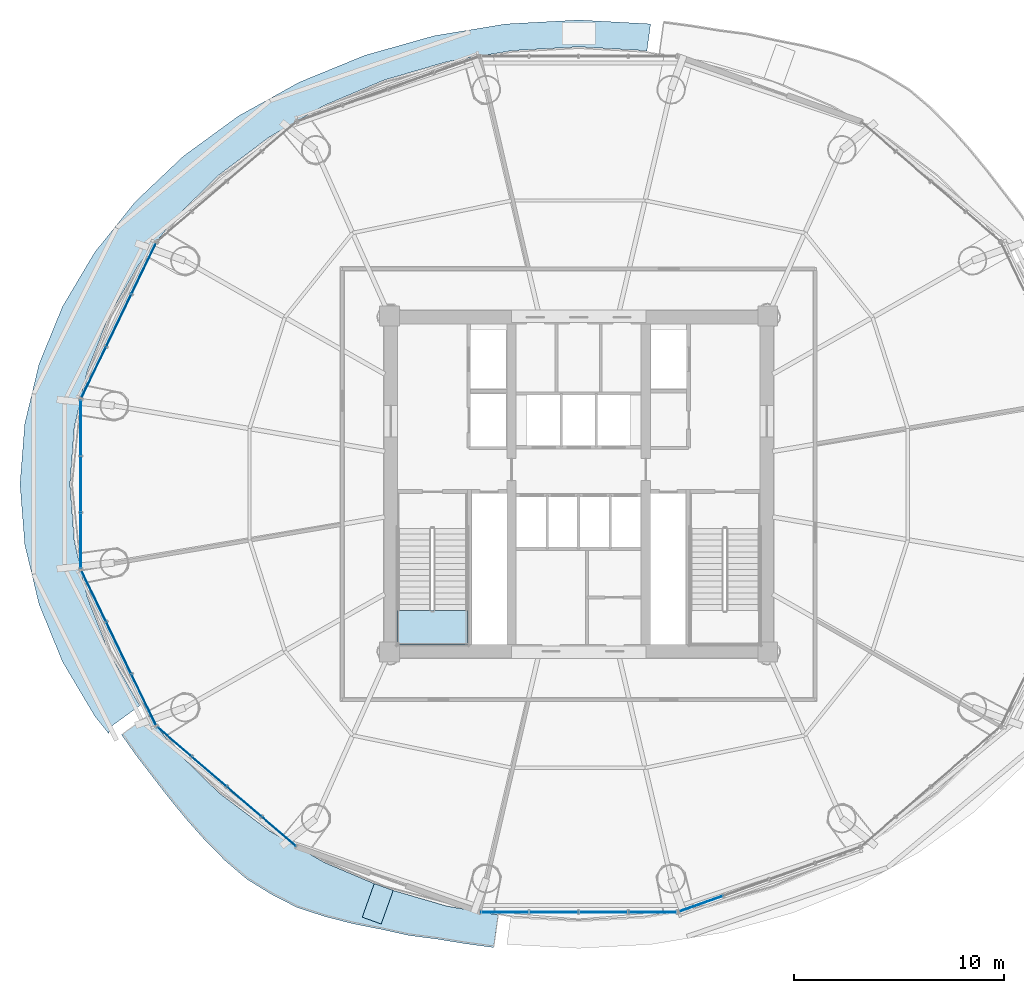
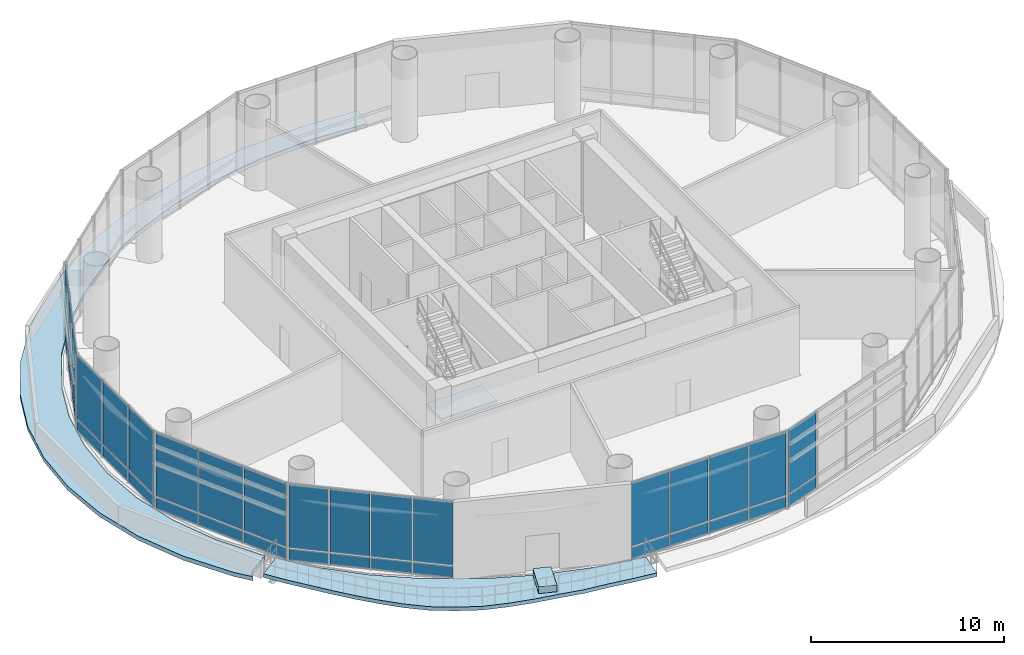
# One storey, part 19 of 29: 36 plates, 4 slabs, 7 elements without a shape of their own.
"""IFC4 building model written with IfcOpenShell, lengths in metres."""

from ifc_helpers import new_model, si_unit, direction, frame, origin, origin_2d, place, context, subcontext, project, spatial, polyline, rectangle, outline, extrude, source, transform, mapped, material, layer, layer_set, type_object, element, aggregate, save


model = new_model("IFC4")

# Units and contexts
model_context = context("Model", 3, precision=1e-05, world=origin(), true_north=direction((-0.2419218956, 0.970295726276)))
body_context = subcontext(model_context, "Body", "Model", "MODEL_VIEW")
ifc_project = project(units=[si_unit("LENGTHUNIT", "METRE"), si_unit("AREAUNIT", "SQUARE_METRE"), si_unit("VOLUMEUNIT", "CUBIC_METRE"), si_unit("PLANEANGLEUNIT", "RADIAN"), si_unit("MASSUNIT", "GRAM", prefix="KILO")], contexts=[model_context])

# Site, building, storey
site_placement = place(None, origin())
site = spatial("IfcSite", under=ifc_project, at=site_placement, CompositionType="ELEMENT")
building_placement = place(site_placement, origin())
building = spatial("IfcBuilding", under=site, at=building_placement, Name="Cobrevalo Terracotta Tower", CompositionType="ELEMENT")
storey_placement = place(building_placement, frame((0.0, 0.0, 130.199951171875)))
storey = spatial("IfcBuildingStorey", under=building, at=storey_placement, Name="L34", CompositionType="ELEMENT", Elevation=130.199951171875)

# Stair, slab
ifc_material_1 = material(Name="Concrete C50", Category="concrete")
stair_type = type_object("IfcStairType", Name="Core protected escape dogleg stair 1600", PredefinedType="HALF_TURN_STAIR", material=ifc_material_1)
stair_placement = place(storey_placement, origin())
stair = element("IfcStair", 1, at=stair_placement, inside=storey, type_object=stair_type, Name="L34 Protected exit stair ST-1", PredefinedType="HALF_TURN_STAIR")
ifc_layer_1 = layer(ifc_material_1, 0.199951171875)
ifc_layer_set_1 = layer_set([ifc_layer_1], Name="Concrete C50")
slab_type_1 = type_object("IfcSlabType", Name="Reinforced Concrete Stair Landing 200", PredefinedType="LANDING", material=ifc_layer_set_1)
slab_1_placement = place(storey_placement, frame((0.0, 0.0, 2.400146484375)))
slab_1 = element("IfcSlab", 2, at=slab_1_placement, type_object=slab_type_1, Name="ST-1 landing 1", PredefinedType="LANDING", context=body_context, shape_type="SweptSolid", body=[
    extrude(outline(polyline([(29.375, 20.780029296875), (29.375, 19.175048828125), (32.695068359375, 19.175048828125), (32.695068359375, 20.780029296875), (29.375, 20.780029296875)])), origin(), (0.0, 0.0, 1.0), 0.199951171875),
])
aggregate(stair, [slab_1])

# Slabs
ifc_material_2 = material(Name="Concrete C45", Category="concrete")
ifc_layer_2 = layer(ifc_material_2, 0.235107421875)
ifc_layer_set_2 = layer_set([ifc_layer_2], Name="Concrete C45")
slab_type_2 = type_object("IfcSlabType", Name="Sky-terrace & stepped lobe balcony slab 235 mm", PredefinedType="FLOOR", material=ifc_layer_set_2)
slab_2_placement = place(storey_placement, frame((0.0, 0.0, -0.23486328125)))
element("IfcSlab", 3, at=slab_2_placement, inside=storey, type_object=slab_type_2, Name="L34 spiralling arc balcony slab lobe 2", PredefinedType="FLOOR", context=body_context, shape_type="SweptSolid", body=[
    extrude(outline(polyline([(16.228515625, 14.87744140625), (16.955810546875, 13.8505859375), (17.7275390625, 12.850830078125), (18.5166015625, 11.825927734375), (19.3447265625, 10.818115234375), (20.228271484375, 9.822998046875), (21.176513671875, 8.865478515625), (22.20654296875, 7.98876953125), (23.368408203125, 7.273193359375), (24.580078125, 6.65087890625), (25.893310546875, 6.220947265625), (27.229736328125, 5.87744140625), (28.577392578125, 5.609619140625), (29.911376953125, 5.314208984375), (31.26416015625, 5.139404296875), (32.60498046875, 4.9208984375), (33.949951171875, 4.738525390625), (34.16455078125, 6.29150390625), (31.736083984375, 6.706787109375), (28.73828125, 7.58154296875), (25.89892578125, 8.784912109375), (23.266845703125, 10.296630859375), (20.88671875, 12.0908203125), (18.79931640625, 14.136474609375), (17.50341796875, 15.803466796875), (16.228515625, 14.87744140625)])), origin(), (0.0, 0.0, 1.0), 0.23486328125),
])
ifc_material_3 = material(Name="Precast concrete C45", Category="concrete")
ifc_layer_3 = layer(ifc_material_3, 0.419921875)
ifc_layer_set_3 = layer_set([ifc_layer_3], Name="Precast concrete C45")
slab_type_3 = type_object("IfcSlabType", Name="Structural tree planter trough base 420 mm", PredefinedType="USERDEFINED", material=ifc_layer_set_3)
slab_3_placement = place(storey_placement, origin())
element("IfcSlab", 4, at=slab_3_placement, inside=storey, type_object=slab_type_3, Name="L34 structural tree planter trough 2", ObjectType="PLANTER", PredefinedType="USERDEFINED", context=body_context, shape_type="SweptSolid", body=[
    extrude(outline(polyline([(28.266357421875, 7.7841796875), (27.694091796875, 6.183349609375), (28.59814453125, 5.860107421875), (29.170166015625, 7.4609375), (28.266357421875, 7.7841796875)])), origin(), (0.0, 0.0, 1.0), 0.420166015625),
])
ifc_layer_4 = layer(ifc_material_2, 0.260009765625)
ifc_layer_set_4 = layer_set([ifc_layer_4], Name="Concrete C45")
slab_type_4 = type_object("IfcSlabType", Name="Zone setback structural roof slab 260 mm", PredefinedType="ROOF", material=ifc_layer_set_4)
slab_4_placement = place(storey_placement, frame((0.0, 0.0, -0.260009765625)))
element("IfcSlab", 5, at=slab_4_placement, inside=storey, type_object=slab_type_4, Name="L34 zone setback roof collar slab 2", PredefinedType="ROOF", context=body_context, shape_type="SweptSolid", body=[
    extrude(outline(polyline([(14.963623046875, 15.75), (13.4248046875, 18.3427734375), (12.306396484375, 21.080078125), (11.627685546875, 23.915283203125), (11.39990234375, 26.800048828125), (11.627685546875, 29.6845703125), (12.306396484375, 32.52001953125), (13.4248046875, 35.25732421875), (14.963623046875, 37.85009765625), (16.896728515625, 40.253662109375), (19.19091796875, 42.427001953125), (21.806884765625, 44.3330078125), (24.699951171875, 45.939208984375), (27.820556640625, 47.2177734375), (31.115478515625, 48.14697265625), (34.528076171875, 48.7109375), (38.0, 48.89990234375), (41.423828125, 48.713623046875), (41.24609375, 47.427490234375), (41.161376953125, 47.44189453125), (38.0, 47.6201171875), (34.838623046875, 47.44189453125), (31.7314453125, 46.91064453125), (28.7314453125, 46.03515625), (25.889892578125, 44.83056640625), (23.255859375, 43.317626953125), (20.873779296875, 41.52197265625), (18.784912109375, 39.474365234375), (17.02490234375, 37.2099609375), (15.62353515625, 34.767578125), (14.605224609375, 32.188720703125), (13.9873046875, 29.517578125), (13.780029296875, 26.800048828125), (13.9873046875, 24.08251953125), (14.605224609375, 21.411376953125), (15.62353515625, 18.83251953125), (17.02490234375, 16.389892578125), (17.12060546875, 16.266845703125), (15.875732421875, 15.363037109375), (15.830322265625, 15.326416015625), (15.78857421875, 15.285400390625), (15.7509765625, 15.24072265625), (15.7177734375, 15.192626953125), (15.689697265625, 15.141357421875), (15.66650390625, 15.087646484375), (15.648681640625, 15.031982421875), (15.636474609375, 14.974853515625), (15.630126953125, 14.921142578125), (14.963623046875, 15.75)])), origin(), (0.0, 0.0, 1.0), 0.260009765625),
])

# Curtain wall, plates
ifc_material_4 = material(Name="Anodized aluminium", Category="aluminium")
curtain_wall_type = type_object("IfcCurtainWallType", Name="Double-height sky-lobby panoramic curtain wall CW-SK", PredefinedType="NOTDEFINED", material=ifc_material_4)
curtain_wall_1_placement = place(storey_placement, origin())
curtain_wall_1 = element("IfcCurtainWall", 6, at=curtain_wall_1_placement, inside=storey, type_object=curtain_wall_type, Name="L34 curtain wall CW-SK-L34-S07", PredefinedType="NOTDEFINED")
ifc_material_5 = material(Name="Terracotta-faced insulated spandrel", Category="masonry")
ifc_layer_5 = layer(ifc_material_5, 0.044921875)
ifc_layer_set_5 = layer_set([ifc_layer_5], Name="Terracotta-faced insulated spandrel")
plate_type_1 = type_object("IfcPlateType", Name="Insulated terracotta-faced spandrel cassette 45 mm", PredefinedType="CURTAIN_PANEL", material=ifc_layer_set_5)
shared_shape_1 = source(origin(), body_context, "Body", "SweptSolid", [
    extrude(rectangle(XDim=2.650390625, YDim=0.044921875, at=origin_2d()), origin(), (0.0, 0.0, 1.0), 0.739990234375),
])
plate_1_placement = place(storey_placement, frame((17.293212890625, 37.0732421875, 0.0400390625), z_axis=(0.0, 0.0, 1.0), x_axis=(-0.434209440271, -0.900811945957, 0.0)))
plate_1 = element("IfcPlate", 7, at=plate_1_placement, type_object=plate_type_1, Name="CW-SK-L34-S07 terracotta spandrel panel B01", PredefinedType="CURTAIN_PANEL", context=body_context, shape_type="MappedRepresentation", body=[
    mapped(shared_shape_1, transform((0.0, 0.0, 0.0), scale=1.0)),
])
plate_2_placement = place(storey_placement, frame((14.904541015625, 32.117919921875, 0.0400390625), z_axis=(0.0, 0.0, 1.0), x_axis=(-0.434209440271, -0.900811945957, 0.0)))
plate_2 = element("IfcPlate", 8, at=plate_2_placement, type_object=plate_type_1, Name="CW-SK-L34-S07 terracotta spandrel panel B03", PredefinedType="CURTAIN_PANEL", context=body_context, shape_type="MappedRepresentation", body=[
    mapped(shared_shape_1, transform((0.0, 0.0, 0.0), scale=1.0)),
])

curtain_wall_2_placement = place(storey_placement, origin())
curtain_wall_2 = element("IfcCurtainWall", 9, at=curtain_wall_2_placement, inside=storey, type_object=curtain_wall_type, Name="L34 curtain wall CW-SK-L34-S09", PredefinedType="NOTDEFINED")
plate_3_placement = place(storey_placement, frame((14.904541015625, 21.482177734375, 0.0400390625), z_axis=(0.0, 0.0, 1.0), x_axis=(0.434209440271, -0.900811945957, 0.0)))
plate_3 = element("IfcPlate", 10, at=plate_3_placement, type_object=plate_type_1, Name="CW-SK-L34-S09 terracotta spandrel panel B01", PredefinedType="CURTAIN_PANEL", context=body_context, shape_type="MappedRepresentation", body=[
    mapped(shared_shape_1, transform((0.0, 0.0, 0.0), scale=1.0)),
])
plate_4_placement = place(storey_placement, frame((17.293212890625, 16.526611328125, 0.0400390625), z_axis=(0.0, 0.0, 1.0), x_axis=(0.434209440271, -0.900811945957, 0.0)))
plate_4 = element("IfcPlate", 11, at=plate_4_placement, type_object=plate_type_1, Name="CW-SK-L34-S09 terracotta spandrel panel B03", PredefinedType="CURTAIN_PANEL", context=body_context, shape_type="MappedRepresentation", body=[
    mapped(shared_shape_1, transform((0.0, 0.0, 0.0), scale=1.0)),
])

# Plate
ifc_material_6 = material(Name="Laminated low-E double glazing", Category="glass")
ifc_layer_6 = layer(ifc_material_6, 0.031982421875)
ifc_layer_set_6 = layer_set([ifc_layer_6], Name="Laminated low-E double glazing")
plate_type_2 = type_object("IfcPlateType", Name="Podium clear acoustic laminated glazing panel 32 mm", PredefinedType="CURTAIN_PANEL", material=ifc_layer_set_6)
shared_shape_2 = source(origin(), body_context, "Body", "SweptSolid", [
    extrude(rectangle(XDim=2.650390625, YDim=0.035888671875, at=origin_2d()), origin(), (0.0, 0.0, 1.0), 4.030029296875),
])
plate_5_placement = place(storey_placement, frame((17.293212890625, 37.0732421875, 0.85986328125), z_axis=(0.0, 0.0, 1.0), x_axis=(-0.434209440271, -0.900811945957, 0.0)))
plate_5 = element("IfcPlate", 12, at=plate_5_placement, type_object=plate_type_2, Name="CW-SK-L34-S07 glazing panel B01", PredefinedType="CURTAIN_PANEL", context=body_context, shape_type="MappedRepresentation", body=[
    mapped(shared_shape_2, transform((0.0, 0.0, 0.0), scale=1.0)),
])

plate_6_placement = place(storey_placement, frame((14.904541015625, 32.117919921875, 0.85986328125), z_axis=(0.0, 0.0, 1.0), x_axis=(-0.434209440271, -0.900811945957, 0.0)))
plate_6 = element("IfcPlate", 13, at=plate_6_placement, type_object=plate_type_2, Name="CW-SK-L34-S07 glazing panel B03", PredefinedType="CURTAIN_PANEL", context=body_context, shape_type="MappedRepresentation", body=[
    mapped(shared_shape_2, transform((0.0, 0.0, 0.0), scale=1.0)),
])

plate_7_placement = place(storey_placement, frame((14.904541015625, 21.482177734375, 0.85986328125), z_axis=(0.0, 0.0, 1.0), x_axis=(0.434209440271, -0.900811945957, 0.0)))
plate_7 = element("IfcPlate", 14, at=plate_7_placement, type_object=plate_type_2, Name="CW-SK-L34-S09 glazing panel B01", PredefinedType="CURTAIN_PANEL", context=body_context, shape_type="MappedRepresentation", body=[
    mapped(shared_shape_2, transform((0.0, 0.0, 0.0), scale=1.0)),
])

plate_8_placement = place(storey_placement, frame((17.293212890625, 16.526611328125, 0.85986328125), z_axis=(0.0, 0.0, 1.0), x_axis=(0.434209440271, -0.900811945957, 0.0)))
plate_8 = element("IfcPlate", 15, at=plate_8_placement, type_object=plate_type_2, Name="CW-SK-L34-S09 glazing panel B03", PredefinedType="CURTAIN_PANEL", context=body_context, shape_type="MappedRepresentation", body=[
    mapped(shared_shape_2, transform((0.0, 0.0, 0.0), scale=1.0)),
])

shared_shape_3 = source(origin(), body_context, "Body", "SweptSolid", [
    extrude(rectangle(XDim=2.6904296875, YDim=0.044921875, at=origin_2d()), origin(), (0.0, 0.0, 1.0), 0.739990234375),
])
plate_9_placement = place(storey_placement, frame((16.098876953125, 34.595703125, 0.0400390625), z_axis=(0.0, 0.0, 1.0), x_axis=(-0.434209440271, -0.900811945957, 0.0)))
plate_9 = element("IfcPlate", 16, at=plate_9_placement, type_object=plate_type_1, Name="CW-SK-L34-S07 terracotta spandrel panel B02", PredefinedType="CURTAIN_PANEL", context=body_context, shape_type="MappedRepresentation", body=[
    mapped(shared_shape_3, transform((0.0, 0.0, 0.0), scale=1.0)),
])

plate_10_placement = place(storey_placement, frame((16.098876953125, 19.00439453125, 0.0400390625), z_axis=(0.0, 0.0, 1.0), x_axis=(0.434209440271, -0.900811945957, 0.0)))
plate_10 = element("IfcPlate", 17, at=plate_10_placement, type_object=plate_type_1, Name="CW-SK-L34-S09 terracotta spandrel panel B02", PredefinedType="CURTAIN_PANEL", context=body_context, shape_type="MappedRepresentation", body=[
    mapped(shared_shape_3, transform((0.0, 0.0, 0.0), scale=1.0)),
])

shared_shape_4 = source(origin(), body_context, "Body", "SweptSolid", [
    extrude(rectangle(XDim=2.6904296875, YDim=0.035888671875, at=origin_2d()), origin(), (0.0, 0.0, 1.0), 4.030029296875),
])
plate_11_placement = place(storey_placement, frame((16.098876953125, 34.595703125, 0.85986328125), z_axis=(0.0, 0.0, 1.0), x_axis=(-0.434209440271, -0.900811945957, 0.0)))
plate_11 = element("IfcPlate", 18, at=plate_11_placement, type_object=plate_type_2, Name="CW-SK-L34-S07 glazing panel B02", PredefinedType="CURTAIN_PANEL", context=body_context, shape_type="MappedRepresentation", body=[
    mapped(shared_shape_4, transform((0.0, 0.0, 0.0), scale=1.0)),
])

aggregate(curtain_wall_1, [plate_1, plate_5, plate_9, plate_11, plate_2, plate_6])

plate_12_placement = place(storey_placement, frame((16.098876953125, 19.00439453125, 0.85986328125), z_axis=(0.0, 0.0, 1.0), x_axis=(0.434209440271, -0.900811945957, 0.0)))
plate_12 = element("IfcPlate", 19, at=plate_12_placement, type_object=plate_type_2, Name="CW-SK-L34-S09 glazing panel B02", PredefinedType="CURTAIN_PANEL", context=body_context, shape_type="MappedRepresentation", body=[
    mapped(shared_shape_4, transform((0.0, 0.0, 0.0), scale=1.0)),
])

aggregate(curtain_wall_2, [plate_3, plate_7, plate_10, plate_12, plate_4, plate_8])

# Curtain wall, plates
curtain_wall_3_placement = place(storey_placement, origin())
curtain_wall_3 = element("IfcCurtainWall", 20, at=curtain_wall_3_placement, inside=storey, type_object=curtain_wall_type, Name="L34 curtain wall CW-SK-L34-S10", PredefinedType="NOTDEFINED")
shared_shape_5 = source(origin(), body_context, "Body", "SweptSolid", [
    extrude(rectangle(XDim=2.078125, YDim=0.044921875, at=origin_2d()), origin(), (0.0, 0.0, 1.0), 0.739990234375),
])
plate_13_placement = place(storey_placement, frame((18.752197265625, 14.531494140625, 0.0400390625), z_axis=(0.0, 0.0, 1.0), x_axis=(0.758436996112, -0.651746363955, 0.0)))
plate_13 = element("IfcPlate", 21, at=plate_13_placement, type_object=plate_type_1, Name="CW-SK-L34-S10 terracotta spandrel panel B01", PredefinedType="CURTAIN_PANEL", context=body_context, shape_type="MappedRepresentation", body=[
    mapped(shared_shape_5, transform((0.0, 0.0, 0.0), scale=1.0)),
])
plate_14_placement = place(storey_placement, frame((23.72314453125, 10.259765625, 0.0400390625), z_axis=(0.0, 0.0, 1.0), x_axis=(0.758436996112, -0.651746363955, 0.0)))
plate_14 = element("IfcPlate", 22, at=plate_14_placement, type_object=plate_type_1, Name="CW-SK-L34-S10 terracotta spandrel panel B04", PredefinedType="CURTAIN_PANEL", context=body_context, shape_type="MappedRepresentation", body=[
    mapped(shared_shape_5, transform((0.0, 0.0, 0.0), scale=1.0)),
])
shared_shape_6 = source(origin(), body_context, "Body", "SweptSolid", [
    extrude(rectangle(XDim=2.078125, YDim=0.035888671875, at=origin_2d()), origin(), (0.0, 0.0, 1.0), 4.030029296875),
])
plate_15_placement = place(storey_placement, frame((18.752197265625, 14.531494140625, 0.85986328125), z_axis=(0.0, 0.0, 1.0), x_axis=(0.758436996112, -0.651746363955, 0.0)))
plate_15 = element("IfcPlate", 23, at=plate_15_placement, type_object=plate_type_2, Name="CW-SK-L34-S10 glazing panel B01", PredefinedType="CURTAIN_PANEL", context=body_context, shape_type="MappedRepresentation", body=[
    mapped(shared_shape_6, transform((0.0, 0.0, 0.0), scale=1.0)),
])
plate_16_placement = place(storey_placement, frame((23.72314453125, 10.259765625, 0.85986328125), z_axis=(0.0, 0.0, 1.0), x_axis=(0.758436996112, -0.651746363955, 0.0)))
plate_16 = element("IfcPlate", 24, at=plate_16_placement, type_object=plate_type_2, Name="CW-SK-L34-S10 glazing panel B04", PredefinedType="CURTAIN_PANEL", context=body_context, shape_type="MappedRepresentation", body=[
    mapped(shared_shape_6, transform((0.0, 0.0, 0.0), scale=1.0)),
])
shared_shape_7 = source(origin(), body_context, "Body", "SweptSolid", [
    extrude(rectangle(XDim=2.1181640625, YDim=0.044921875, at=origin_2d()), origin(), (0.0, 0.0, 1.0), 0.739990234375),
])
plate_17_placement = place(storey_placement, frame((20.404052734375, 13.11181640625, 0.0400390625), z_axis=(0.0, 0.0, 1.0), x_axis=(0.758436996112, -0.651746363955, 0.0)))
plate_17 = element("IfcPlate", 25, at=plate_17_placement, type_object=plate_type_1, Name="CW-SK-L34-S10 terracotta spandrel panel B02", PredefinedType="CURTAIN_PANEL", context=body_context, shape_type="MappedRepresentation", body=[
    mapped(shared_shape_7, transform((0.0, 0.0, 0.0), scale=1.0)),
])
plate_18_placement = place(storey_placement, frame((22.0712890625, 11.67919921875, 0.0400390625), z_axis=(0.0, 0.0, 1.0), x_axis=(0.758436996112, -0.651746363955, 0.0)))
plate_18 = element("IfcPlate", 26, at=plate_18_placement, type_object=plate_type_1, Name="CW-SK-L34-S10 terracotta spandrel panel B03", PredefinedType="CURTAIN_PANEL", context=body_context, shape_type="MappedRepresentation", body=[
    mapped(shared_shape_7, transform((0.0, 0.0, 0.0), scale=1.0)),
])
shared_shape_8 = source(origin(), body_context, "Body", "SweptSolid", [
    extrude(rectangle(XDim=2.1181640625, YDim=0.035888671875, at=origin_2d()), origin(), (0.0, 0.0, 1.0), 4.030029296875),
])
plate_19_placement = place(storey_placement, frame((20.404052734375, 13.11181640625, 0.85986328125), z_axis=(0.0, 0.0, 1.0), x_axis=(0.758436996112, -0.651746363955, 0.0)))
plate_19 = element("IfcPlate", 27, at=plate_19_placement, type_object=plate_type_2, Name="CW-SK-L34-S10 glazing panel B02", PredefinedType="CURTAIN_PANEL", context=body_context, shape_type="MappedRepresentation", body=[
    mapped(shared_shape_8, transform((0.0, 0.0, 0.0), scale=1.0)),
])
plate_20_placement = place(storey_placement, frame((22.0712890625, 11.67919921875, 0.85986328125), z_axis=(0.0, 0.0, 1.0), x_axis=(0.758436996112, -0.651746363955, 0.0)))
plate_20 = element("IfcPlate", 28, at=plate_20_placement, type_object=plate_type_2, Name="CW-SK-L34-S10 glazing panel B03", PredefinedType="CURTAIN_PANEL", context=body_context, shape_type="MappedRepresentation", body=[
    mapped(shared_shape_8, transform((0.0, 0.0, 0.0), scale=1.0)),
])
aggregate(curtain_wall_3, [plate_13, plate_15, plate_17, plate_19, plate_18, plate_20, plate_14, plate_16])

curtain_wall_4_placement = place(storey_placement, origin())
curtain_wall_4 = element("IfcCurtainWall", 29, at=curtain_wall_4_placement, inside=storey, type_object=curtain_wall_type, Name="L34 curtain wall CW-SK-L34-S12", PredefinedType="NOTDEFINED")
shared_shape_9 = source(origin(), body_context, "Body", "SweptSolid", [
    extrude(rectangle(XDim=2.23779296875, YDim=0.044921875, at=origin_2d()), origin(), (0.0, 0.0, 1.0), 0.739990234375),
])
plate_21_placement = place(storey_placement, frame((34.4833984375, 6.42919921875, 0.0400390625), z_axis=(0.0, 0.0, 1.0), x_axis=(1.0, 0.0, 0.0)))
plate_21 = element("IfcPlate", 30, at=plate_21_placement, type_object=plate_type_1, Name="CW-SK-L34-S12 terracotta spandrel panel B01", PredefinedType="CURTAIN_PANEL", context=body_context, shape_type="MappedRepresentation", body=[
    mapped(shared_shape_9, transform((0.0, 0.0, 0.0), scale=1.0)),
])
plate_22_placement = place(storey_placement, frame((41.5166015625, 6.42919921875, 0.0400390625), z_axis=(0.0, 0.0, 1.0), x_axis=(1.0, 0.0, 0.0)))
plate_22 = element("IfcPlate", 31, at=plate_22_placement, type_object=plate_type_1, Name="CW-SK-L34-S12 terracotta spandrel panel B04", PredefinedType="CURTAIN_PANEL", context=body_context, shape_type="MappedRepresentation", body=[
    mapped(shared_shape_9, transform((0.0, 0.0, 0.0), scale=1.0)),
])
shared_shape_10 = source(origin(), body_context, "Body", "SweptSolid", [
    extrude(rectangle(XDim=2.23779296875, YDim=0.035888671875, at=origin_2d()), origin(), (0.0, 0.0, 1.0), 4.030029296875),
])
plate_23_placement = place(storey_placement, frame((34.4833984375, 6.42919921875, 0.85986328125), z_axis=(0.0, 0.0, 1.0), x_axis=(1.0, 0.0, 0.0)))
plate_23 = element("IfcPlate", 32, at=plate_23_placement, type_object=plate_type_2, Name="CW-SK-L34-S12 glazing panel B01", PredefinedType="CURTAIN_PANEL", context=body_context, shape_type="MappedRepresentation", body=[
    mapped(shared_shape_10, transform((0.0, 0.0, 0.0), scale=1.0)),
])
plate_24_placement = place(storey_placement, frame((41.5166015625, 6.42919921875, 0.85986328125), z_axis=(0.0, 0.0, 1.0), x_axis=(1.0, 0.0, 0.0)))
plate_24 = element("IfcPlate", 33, at=plate_24_placement, type_object=plate_type_2, Name="CW-SK-L34-S12 glazing panel B04", PredefinedType="CURTAIN_PANEL", context=body_context, shape_type="MappedRepresentation", body=[
    mapped(shared_shape_10, transform((0.0, 0.0, 0.0), scale=1.0)),
])
shared_shape_11 = source(origin(), body_context, "Body", "SweptSolid", [
    extrude(rectangle(XDim=2.277587890625, YDim=0.044921875, at=origin_2d()), origin(), (0.0, 0.0, 1.0), 0.739990234375),
])
plate_25_placement = place(storey_placement, frame((36.8212890625, 6.42919921875, 0.0400390625), z_axis=(0.0, 0.0, 1.0), x_axis=(1.0, 0.0, 0.0)))
plate_25 = element("IfcPlate", 34, at=plate_25_placement, type_object=plate_type_1, Name="CW-SK-L34-S12 terracotta spandrel panel B02", PredefinedType="CURTAIN_PANEL", context=body_context, shape_type="MappedRepresentation", body=[
    mapped(shared_shape_11, transform((0.0, 0.0, 0.0), scale=1.0)),
])
plate_26_placement = place(storey_placement, frame((39.1787109375, 6.42919921875, 0.0400390625), z_axis=(0.0, 0.0, 1.0), x_axis=(1.0, 0.0, 0.0)))
plate_26 = element("IfcPlate", 35, at=plate_26_placement, type_object=plate_type_1, Name="CW-SK-L34-S12 terracotta spandrel panel B03", PredefinedType="CURTAIN_PANEL", context=body_context, shape_type="MappedRepresentation", body=[
    mapped(shared_shape_11, transform((0.0, 0.0, 0.0), scale=1.0)),
])
shared_shape_12 = source(origin(), body_context, "Body", "SweptSolid", [
    extrude(rectangle(XDim=2.277587890625, YDim=0.035888671875, at=origin_2d()), origin(), (0.0, 0.0, 1.0), 4.030029296875),
])
plate_27_placement = place(storey_placement, frame((36.8212890625, 6.42919921875, 0.85986328125), z_axis=(0.0, 0.0, 1.0), x_axis=(1.0, 0.0, 0.0)))
plate_27 = element("IfcPlate", 36, at=plate_27_placement, type_object=plate_type_2, Name="CW-SK-L34-S12 glazing panel B02", PredefinedType="CURTAIN_PANEL", context=body_context, shape_type="MappedRepresentation", body=[
    mapped(shared_shape_12, transform((0.0, 0.0, 0.0), scale=1.0)),
])
plate_28_placement = place(storey_placement, frame((39.1787109375, 6.42919921875, 0.85986328125), z_axis=(0.0, 0.0, 1.0), x_axis=(1.0, 0.0, 0.0)))
plate_28 = element("IfcPlate", 37, at=plate_28_placement, type_object=plate_type_2, Name="CW-SK-L34-S12 glazing panel B03", PredefinedType="CURTAIN_PANEL", context=body_context, shape_type="MappedRepresentation", body=[
    mapped(shared_shape_12, transform((0.0, 0.0, 0.0), scale=1.0)),
])
aggregate(curtain_wall_4, [plate_21, plate_23, plate_25, plate_27, plate_26, plate_28, plate_22, plate_24])

curtain_wall_5_placement = place(storey_placement, origin())
curtain_wall_5 = element("IfcCurtainWall", 38, at=curtain_wall_5_placement, inside=storey, type_object=curtain_wall_type, Name="L34 curtain wall CW-SK-L34-S13", PredefinedType="NOTDEFINED")
shared_shape_13 = source(origin(), body_context, "Body", "SweptSolid", [
    extrude(rectangle(XDim=2.192138671875, YDim=0.044921875, at=origin_2d()), origin(), (0.0, 0.0, 1.0), 0.739990234375),
])
plate_29_placement = place(storey_placement, frame((43.8232421875, 6.823486328125, 0.0400390625), z_axis=(0.0, 0.0, 1.0), x_axis=(0.942098428897, 0.335336473217, 0.0)))
plate_29 = element("IfcPlate", 39, at=plate_29_placement, type_object=plate_type_1, Name="CW-SK-L34-S13 terracotta spandrel panel B01", PredefinedType="CURTAIN_PANEL", context=body_context, shape_type="MappedRepresentation", body=[
    mapped(shared_shape_13, transform((0.0, 0.0, 0.0), scale=1.0)),
])
shared_shape_14 = source(origin(), body_context, "Body", "SweptSolid", [
    extrude(rectangle(XDim=2.192138671875, YDim=0.035888671875, at=origin_2d()), origin(), (0.0, 0.0, 1.0), 4.030029296875),
])
plate_30_placement = place(storey_placement, frame((43.8232421875, 6.823486328125, 0.85986328125), z_axis=(0.0, 0.0, 1.0), x_axis=(0.942098428897, 0.335336473217, 0.0)))
plate_30 = element("IfcPlate", 40, at=plate_30_placement, type_object=plate_type_2, Name="CW-SK-L34-S13 glazing panel B01", PredefinedType="CURTAIN_PANEL", context=body_context, shape_type="MappedRepresentation", body=[
    mapped(shared_shape_14, transform((0.0, 0.0, 0.0), scale=1.0)),
])
aggregate(curtain_wall_5, [plate_29, plate_30])

curtain_wall_6_placement = place(storey_placement, origin())
curtain_wall_6 = element("IfcCurtainWall", 41, at=curtain_wall_6_placement, inside=storey, type_object=curtain_wall_type, Name="L34 curtain wall CW-SK-L34-S08", PredefinedType="NOTDEFINED")
shared_shape_15 = source(origin(), body_context, "Body", "SweptSolid", [
    extrude(rectangle(XDim=2.581298828125, YDim=0.044921875, at=origin_2d()), origin(), (0.0, 0.0, 1.0), 0.739990234375),
])
plate_31_placement = place(storey_placement, frame((14.29443359375, 29.4814453125, 0.0400390625), z_axis=(0.0, 0.0, 1.0), x_axis=(0.0, -1.0, 0.0)))
plate_31 = element("IfcPlate", 42, at=plate_31_placement, type_object=plate_type_1, Name="CW-SK-L34-S08 terracotta spandrel panel B01", PredefinedType="CURTAIN_PANEL", context=body_context, shape_type="MappedRepresentation", body=[
    mapped(shared_shape_15, transform((0.0, 0.0, 0.0), scale=1.0)),
])
plate_32_placement = place(storey_placement, frame((14.29443359375, 24.11865234375, 0.0400390625), z_axis=(0.0, 0.0, 1.0), x_axis=(0.0, -1.0, 0.0)))
plate_32 = element("IfcPlate", 43, at=plate_32_placement, type_object=plate_type_1, Name="CW-SK-L34-S08 terracotta spandrel panel B03", PredefinedType="CURTAIN_PANEL", context=body_context, shape_type="MappedRepresentation", body=[
    mapped(shared_shape_15, transform((0.0, 0.0, 0.0), scale=1.0)),
])
shared_shape_16 = source(origin(), body_context, "Body", "SweptSolid", [
    extrude(rectangle(XDim=2.581298828125, YDim=0.035888671875, at=origin_2d()), origin(), (0.0, 0.0, 1.0), 4.030029296875),
])
plate_33_placement = place(storey_placement, frame((14.29443359375, 29.4814453125, 0.85986328125), z_axis=(0.0, 0.0, 1.0), x_axis=(0.0, -1.0, 0.0)))
plate_33 = element("IfcPlate", 44, at=plate_33_placement, type_object=plate_type_2, Name="CW-SK-L34-S08 glazing panel B01", PredefinedType="CURTAIN_PANEL", context=body_context, shape_type="MappedRepresentation", body=[
    mapped(shared_shape_16, transform((0.0, 0.0, 0.0), scale=1.0)),
])
plate_34_placement = place(storey_placement, frame((14.29443359375, 24.11865234375, 0.85986328125), z_axis=(0.0, 0.0, 1.0), x_axis=(0.0, -1.0, 0.0)))
plate_34 = element("IfcPlate", 45, at=plate_34_placement, type_object=plate_type_2, Name="CW-SK-L34-S08 glazing panel B03", PredefinedType="CURTAIN_PANEL", context=body_context, shape_type="MappedRepresentation", body=[
    mapped(shared_shape_16, transform((0.0, 0.0, 0.0), scale=1.0)),
])
shared_shape_17 = source(origin(), body_context, "Body", "SweptSolid", [
    extrude(rectangle(XDim=2.621337890625, YDim=0.044921875, at=origin_2d()), origin(), (0.0, 0.0, 1.0), 0.739990234375),
])
plate_35_placement = place(storey_placement, frame((14.29443359375, 26.800048828125, 0.0400390625), z_axis=(0.0, 0.0, 1.0), x_axis=(0.0, -1.0, 0.0)))
plate_35 = element("IfcPlate", 46, at=plate_35_placement, type_object=plate_type_1, Name="CW-SK-L34-S08 terracotta spandrel panel B02", PredefinedType="CURTAIN_PANEL", context=body_context, shape_type="MappedRepresentation", body=[
    mapped(shared_shape_17, transform((0.0, 0.0, 0.0), scale=1.0)),
])
shared_shape_18 = source(origin(), body_context, "Body", "SweptSolid", [
    extrude(rectangle(XDim=2.621337890625, YDim=0.035888671875, at=origin_2d()), origin(), (0.0, 0.0, 1.0), 4.030029296875),
])
plate_36_placement = place(storey_placement, frame((14.29443359375, 26.800048828125, 0.85986328125), z_axis=(0.0, 0.0, 1.0), x_axis=(0.0, -1.0, 0.0)))
plate_36 = element("IfcPlate", 47, at=plate_36_placement, type_object=plate_type_2, Name="CW-SK-L34-S08 glazing panel B02", PredefinedType="CURTAIN_PANEL", context=body_context, shape_type="MappedRepresentation", body=[
    mapped(shared_shape_18, transform((0.0, 0.0, 0.0), scale=1.0)),
])
aggregate(curtain_wall_6, [plate_31, plate_33, plate_35, plate_36, plate_32, plate_34])

save(model, "model.ifc")
